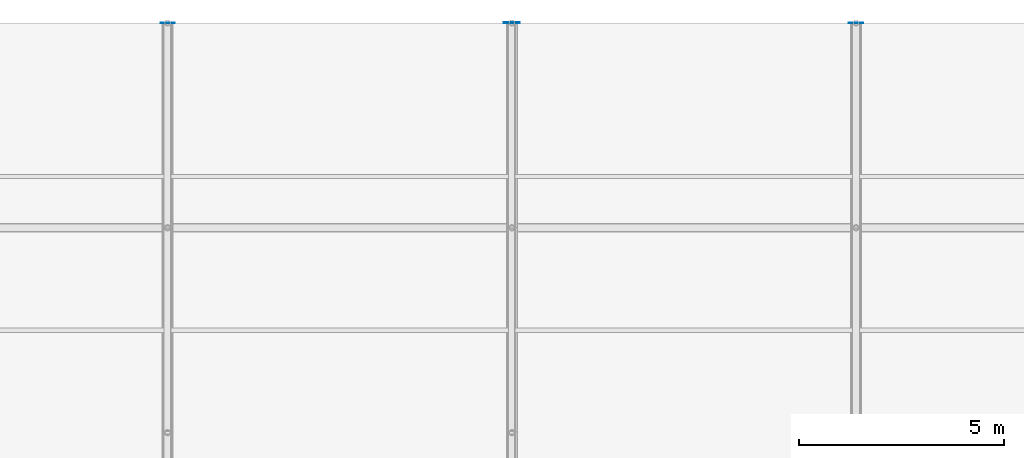
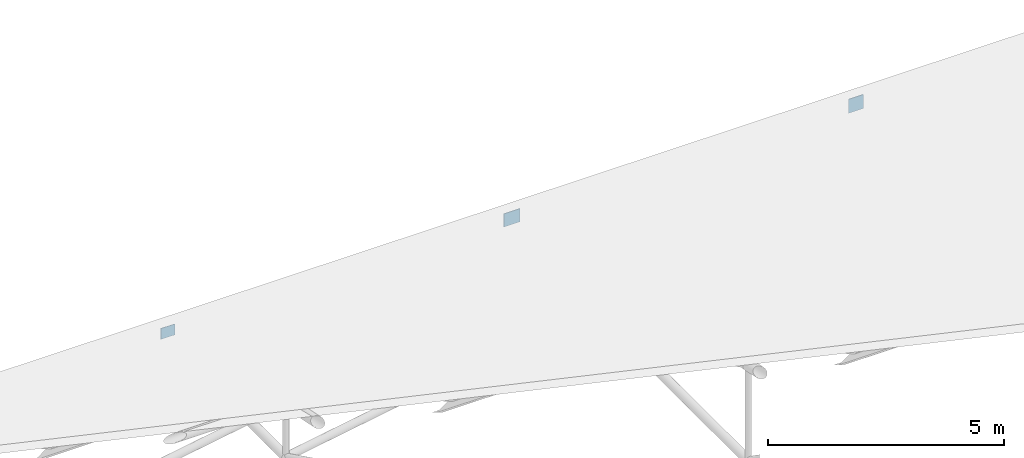
# One storey, part 187 of 194: 3 plates.
"""IFC4 building model written with IfcOpenShell, lengths in metres."""

from ifc_helpers import new_model, si_unit, direction, frame, origin, origin_2d, place, context, subcontext, project, spatial, rectangle, extrude, material, layer, layer_set, type_object, element, save


model = new_model("IFC4")

# Units and contexts
model_context = context("Model", 3, precision=1e-05, world=origin(), true_north=direction((0.0, 1.0)))
body_context = subcontext(model_context, "Body", "Model", "MODEL_VIEW")
ifc_project = project(units=[si_unit("LENGTHUNIT", "METRE"), si_unit("AREAUNIT", "SQUARE_METRE"), si_unit("VOLUMEUNIT", "CUBIC_METRE"), si_unit("PLANEANGLEUNIT", "RADIAN"), si_unit("MASSUNIT", "GRAM", prefix="KILO")], contexts=[model_context])

# Site, building, storey
site_placement = place(None, origin())
site = spatial("IfcSite", under=ifc_project, at=site_placement, CompositionType="ELEMENT")
building_placement = place(site_placement, origin())
building = spatial("IfcBuilding", under=site, at=building_placement, Name="Kazenagashi Tramway Depot", CompositionType="ELEMENT")
storey_placement = place(building_placement, frame((0.0, 0.0, 23.7)))
storey = spatial("IfcBuildingStorey", under=building, at=storey_placement, Name="ROOF", CompositionType="ELEMENT", Elevation=23.7)

# Plates
ifc_material = material(Name="Steel STK490", Category="steel")
ifc_layer_1 = layer(ifc_material, 0.016)
ifc_layer_set_1 = layer_set([ifc_layer_1], Name="Steel STK490")
plate_type_1 = type_object("IfcPlateType", Name="EC-01", PredefinedType="USERDEFINED", material=ifc_layer_set_1)
plate_1_placement = place(storey_placement, frame((86.8, 130.0, -14.08), z_axis=(0.0, 0.0, 1.0), x_axis=(1.0, 0.0, 0.0)))
element("IfcPlate", 1, at=plate_1_placement, inside=storey, type_object=plate_type_1, Name="Structural Node Plate EC-01 PLT-0024", ObjectType="END CAP PLATE", PredefinedType="USERDEFINED", context=body_context, shape_type="SweptSolid", body=[
    extrude(rectangle(XDim=0.36, YDim=0.016, at=origin_2d()), origin(), (0.0, 0.0, 1.0), 0.36),
])
ifc_layer_2 = layer(ifc_material, 0.015)
ifc_layer_set_2 = layer_set([ifc_layer_2], Name="Steel STK490")
plate_type_2 = type_object("IfcPlateType", Name="EC-09", PredefinedType="USERDEFINED", material=ifc_layer_set_2)
plate_2_placement = place(storey_placement, frame((70.0, 130.0, -14.04), z_axis=(0.0, 0.0, 1.0), x_axis=(1.0, 0.0, 0.0)))
element("IfcPlate", 2, at=plate_2_placement, inside=storey, type_object=plate_type_2, Name="Structural Node Plate EC-09 PLT-0016", ObjectType="END CAP PLATE", PredefinedType="USERDEFINED", context=body_context, shape_type="SweptSolid", body=[
    extrude(rectangle(XDim=0.34, YDim=0.015, at=origin_2d()), origin(), (0.0, 0.0, 1.0), 0.28),
])
ifc_layer_3 = layer(ifc_material, 0.018)
ifc_layer_set_3 = layer_set([ifc_layer_3], Name="Steel STK490")
plate_type_3 = type_object("IfcPlateType", Name="EC-10", PredefinedType="USERDEFINED", material=ifc_layer_set_3)
plate_3_placement = place(storey_placement, frame((78.4, 130.0, -14.07), z_axis=(0.0, 0.0, 1.0), x_axis=(1.0, 0.0, 0.0)))
element("IfcPlate", 3, at=plate_3_placement, inside=storey, type_object=plate_type_3, Name="Structural Node Plate EC-10 PLT-0020", ObjectType="END CAP PLATE", PredefinedType="USERDEFINED", context=body_context, shape_type="SweptSolid", body=[
    extrude(rectangle(XDim=0.4, YDim=0.018, at=origin_2d()), origin(), (0.0, 0.0, 1.0), 0.34),
])

save(model, "model.ifc")
